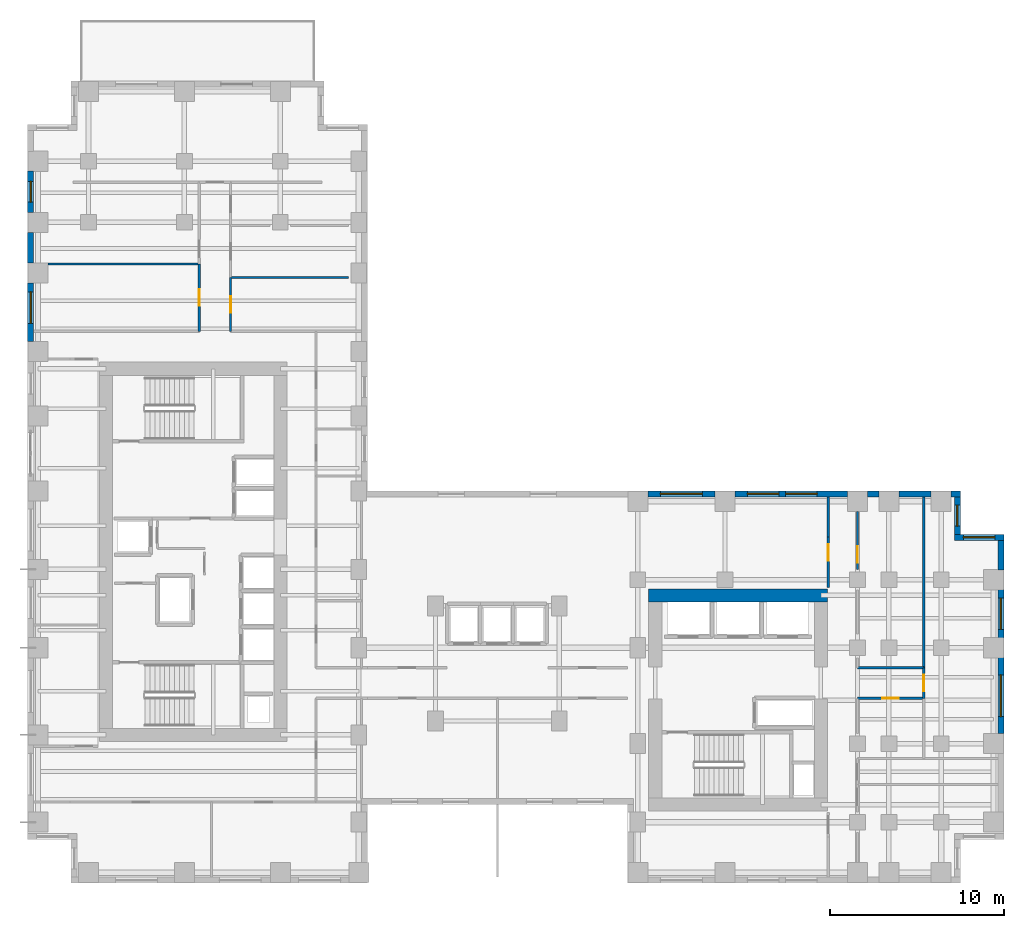
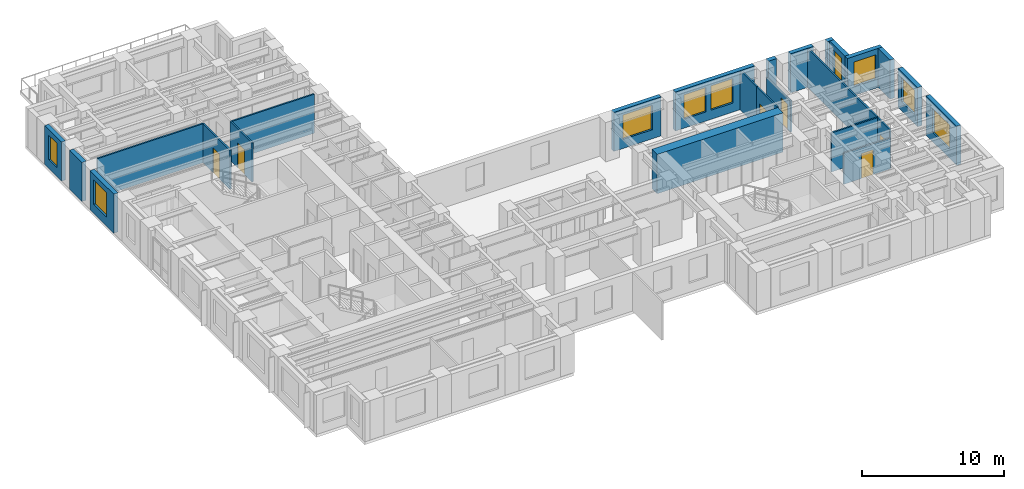
# One storey, part 9 of 13: 25 walls, 9 windows, 6 doors, 15 openings.
"""IFC4 building model written with IfcOpenShell, lengths in metres."""

from ifc_helpers import new_model, si_unit, direction, frame, frame_2d, origin, place, context, subcontext, project, spatial, rectangle, extrude, source, transform, mapped, material, layer, layer_set, type_object, element, fill, save


model = new_model("IFC4")

# Units and contexts
model_context = context("Model", 3, precision=1e-05, world=origin(), true_north=direction((0.0, 1.0)))
body_context = subcontext(model_context, "Body", "Model", "MODEL_VIEW")
ifc_project = project(units=[si_unit("LENGTHUNIT", "METRE"), si_unit("AREAUNIT", "SQUARE_METRE"), si_unit("VOLUMEUNIT", "CUBIC_METRE"), si_unit("PLANEANGLEUNIT", "RADIAN"), si_unit("MASSUNIT", "GRAM", prefix="KILO")], contexts=[model_context])

# Site, building, storey
site_placement = place(None, origin())
site = spatial("IfcSite", under=ifc_project, at=site_placement, CompositionType="ELEMENT")
building_placement = place(site_placement, origin())
building = spatial("IfcBuilding", under=site, at=building_placement, Name="Kharzan Plaza Tower", CompositionType="ELEMENT")
storey_placement = place(building_placement, frame((0.0, 0.0, 77.39990234375)))
storey = spatial("IfcBuildingStorey", under=building, at=storey_placement, Name="L20", CompositionType="ELEMENT", Elevation=77.39990234375)

# Wall, opening, window
ifc_material_1 = material(Name="Concrete C40/50", Category="concrete")
ifc_layer_1 = layer(ifc_material_1, 0.35009765625)
ifc_layer_set_1 = layer_set([ifc_layer_1], Name="Concrete C40/50")
wall_type_1 = type_object("IfcWallType", Name="WL-EXT-MAS-Z2", PredefinedType="SOLIDWALL", material=ifc_layer_set_1)
wall_1_placement = place(storey_placement, frame((0.175048828125, 40.826904296875, 0.0), z_axis=(0.0, 0.0, 1.0), x_axis=(0.0, -1.0, 0.0)))
wall_1 = element("IfcWall", 1, at=wall_1_placement, inside=storey, type_object=wall_type_1, Name="L20 Masonry-Frame Exterior Wall 10", PredefinedType="SOLIDWALL", context=body_context, shape_type="SweptSolid", body=[
    extrude(rectangle(XDim=2.35400390625, YDim=0.35009765625, at=frame_2d((1.177001953125, 0.0))), origin(), (0.0, 0.0, 1.0), 3.364990234375),
])
opening_1_placement = place(wall_1_placement, frame((0.576904296875, 0.0, 0.780029296875)))
opening_1 = element("IfcOpeningElement", 2, at=opening_1_placement, cuts=wall_1, Name="Opening W3", PredefinedType="OPENING", context=body_context, shape_type="SweptSolid", body=[
    extrude(rectangle(XDim=1.199951171875, YDim=2.10009765625, at=frame_2d((0.60009765625, 1.050048828125))), frame((0.0, 0.18505859375, 0.0), z_axis=(0.0, -1.0, 0.0), x_axis=(1.0, 0.0, 0.0)), (0.0, 0.0, 1.0), 0.3701171875),
])
ifc_material_2 = material(Name="Low-E Double Glazing", Category="glass")
window_type_1 = type_object("IfcWindowType", Name="WN-REC-1200x2100", PartitioningType="SINGLE_PANEL", PredefinedType="WINDOW", material=ifc_material_2)
shared_shape_1 = source(origin(), body_context, "Body", "SweptSolid", [
    extrude(rectangle(XDim=1.199951171875, YDim=2.10009765625, at=frame_2d((0.60009765625, 1.050048828125))), frame((0.0, 0.030029296875, 0.0), z_axis=(0.0, -1.0, 0.0), x_axis=(1.0, 0.0, 0.0)), (0.0, 0.0, 1.0), 0.06005859375),
])
window_1_placement = place(opening_1_placement, origin())
window_1 = element("IfcWindow", 3, at=window_1_placement, inside=storey, type_object=window_type_1, Name="L20 Recessed Solar-Control Window 10-1", OverallHeight=2.10009765625, OverallWidth=1.199951171875, PartitioningType="SINGLE_PANEL", PredefinedType="WINDOW", context=body_context, shape_type="MappedRepresentation", body=[
    mapped(shared_shape_1, transform((0.0, 0.0, 0.0), x_axis=(1.0, 0.0, 0.0), y_axis=(0.0, 1.0, 0.0), z_axis=(0.0, 0.0, 1.0))),
])
fill(opening_1, window_1)

wall_2_placement = place(storey_placement, frame((0.175048828125, 34.427001953125, 0.0), z_axis=(0.0, 0.0, 1.0), x_axis=(0.0, -1.0, 0.0)))
wall_2 = element("IfcWall", 4, at=wall_2_placement, inside=storey, type_object=wall_type_1, Name="L20 Masonry-Frame Exterior Wall 12", PredefinedType="SOLIDWALL", context=body_context, shape_type="SweptSolid", body=[
    extrude(rectangle(XDim=3.35400390625, YDim=0.35009765625, at=frame_2d((1.677001953125, 0.0))), origin(), (0.0, 0.0, 1.0), 3.364990234375),
])
opening_2_placement = place(wall_2_placement, frame((0.5234375, 0.0, 0.780029296875)))
opening_2 = element("IfcOpeningElement", 5, at=opening_2_placement, cuts=wall_2, Name="Opening W1", PredefinedType="OPENING", context=body_context, shape_type="SweptSolid", body=[
    extrude(rectangle(XDim=1.800048828125, YDim=2.10009765625, at=frame_2d((0.89990234375, 1.050048828125))), frame((0.0, 0.18505859375, 0.0), z_axis=(0.0, -1.0, 0.0), x_axis=(1.0, 0.0, 0.0)), (0.0, 0.0, 1.0), 0.3701171875),
])
window_type_2 = type_object("IfcWindowType", Name="WN-REC-1800x2100", PartitioningType="SINGLE_PANEL", PredefinedType="WINDOW", material=ifc_material_2)
shared_shape_2 = source(origin(), body_context, "Body", "SweptSolid", [
    extrude(rectangle(XDim=1.800048828125, YDim=2.10009765625, at=frame_2d((0.89990234375, 1.050048828125))), frame((0.0, 0.030029296875, 0.0), z_axis=(0.0, -1.0, 0.0), x_axis=(1.0, 0.0, 0.0)), (0.0, 0.0, 1.0), 0.06005859375),
])
window_2_placement = place(opening_2_placement, origin())
window_2 = element("IfcWindow", 6, at=window_2_placement, inside=storey, type_object=window_type_2, Name="L20 Recessed Solar-Control Window 12-1", OverallHeight=2.10009765625, OverallWidth=1.800048828125, PartitioningType="SINGLE_PANEL", PredefinedType="WINDOW", context=body_context, shape_type="MappedRepresentation", body=[
    mapped(shared_shape_2, transform((0.0, 0.0, 0.0), x_axis=(1.0, 0.0, 0.0), y_axis=(0.0, 1.0, 0.0), z_axis=(0.0, 0.0, 1.0))),
])
fill(opening_2, window_2)

wall_3_placement = place(storey_placement, frame((55.824951171875, 8.572998046875, 0.0), z_axis=(0.0, 0.0, 1.0), x_axis=(0.0, 1.0, 0.0)))
wall_3 = element("IfcWall", 7, at=wall_3_placement, inside=storey, type_object=wall_type_1, Name="L20 Masonry-Frame Exterior Wall 39", PredefinedType="SOLIDWALL", context=body_context, shape_type="SweptSolid", body=[
    extrude(rectangle(XDim=4.35400390625, YDim=0.35009765625, at=frame_2d((2.177001953125, 0.0))), origin(), (0.0, 0.0, 1.0), 3.364990234375),
])
opening_3_placement = place(wall_3_placement, frame((0.97705078125, 0.0, 0.780029296875)))
opening_3 = element("IfcOpeningElement", 8, at=opening_3_placement, cuts=wall_3, Name="Opening W2", PredefinedType="OPENING", context=body_context, shape_type="SweptSolid", body=[
    extrude(rectangle(XDim=2.39990234375, YDim=2.10009765625, at=frame_2d((1.199951171875, 1.050048828125))), frame((0.0, 0.18505859375, 0.0), z_axis=(0.0, -1.0, 0.0), x_axis=(1.0, 0.0, 0.0)), (0.0, 0.0, 1.0), 0.3701171875),
])
window_type_3 = type_object("IfcWindowType", Name="WN-REC-2400x2100", PartitioningType="SINGLE_PANEL", PredefinedType="WINDOW", material=ifc_material_2)
shared_shape_3 = source(origin(), body_context, "Body", "SweptSolid", [
    extrude(rectangle(XDim=2.39990234375, YDim=2.10009765625, at=frame_2d((1.199951171875, 1.050048828125))), frame((0.0, 0.030029296875, 0.0), z_axis=(0.0, -1.0, 0.0), x_axis=(1.0, 0.0, 0.0)), (0.0, 0.0, 1.0), 0.06005859375),
])
window_3_placement = place(opening_3_placement, origin())
window_3 = element("IfcWindow", 9, at=window_3_placement, inside=storey, type_object=window_type_3, Name="L20 Wide Recessed Solar-Control Window 39-1", OverallHeight=2.10009765625, OverallWidth=2.39990234375, PartitioningType="SINGLE_PANEL", PredefinedType="WINDOW", context=body_context, shape_type="MappedRepresentation", body=[
    mapped(shared_shape_3, transform((0.0, 0.0, 0.0), x_axis=(1.0, 0.0, 0.0), y_axis=(0.0, 1.0, 0.0), z_axis=(0.0, 0.0, 1.0))),
])
fill(opening_3, window_3)

wall_4_placement = place(storey_placement, frame((55.824951171875, 14.072998046875, 0.0), z_axis=(0.0, 0.0, 1.0), x_axis=(0.0, 1.0, 0.0)))
wall_4 = element("IfcWall", 10, at=wall_4_placement, inside=storey, type_object=wall_type_1, Name="L20 Masonry-Frame Exterior Wall 40", PredefinedType="SOLIDWALL", context=body_context, shape_type="SweptSolid", body=[
    extrude(rectangle(XDim=2.75390625, YDim=0.35009765625, at=frame_2d((1.376953125, 0.0))), origin(), (0.0, 0.0, 1.0), 3.364990234375),
])
opening_4_placement = place(wall_4_placement, frame((0.47705078125, 0.0, 0.780029296875)))
opening_4 = element("IfcOpeningElement", 11, at=opening_4_placement, cuts=wall_4, Name="Opening W1", PredefinedType="OPENING", context=body_context, shape_type="SweptSolid", body=[
    extrude(rectangle(XDim=1.800048828125, YDim=2.10009765625, at=frame_2d((0.89990234375, 1.050048828125))), frame((0.0, 0.18505859375, 0.0), z_axis=(0.0, -1.0, 0.0), x_axis=(1.0, 0.0, 0.0)), (0.0, 0.0, 1.0), 0.3701171875),
])
window_4_placement = place(opening_4_placement, origin())
window_4 = element("IfcWindow", 12, at=window_4_placement, inside=storey, type_object=window_type_2, Name="L20 Recessed Solar-Control Window 40-1", OverallHeight=2.10009765625, OverallWidth=1.800048828125, PartitioningType="SINGLE_PANEL", PredefinedType="WINDOW", context=body_context, shape_type="MappedRepresentation", body=[
    mapped(shared_shape_2, transform((0.0, 0.0, 0.0), x_axis=(1.0, 0.0, 0.0), y_axis=(0.0, 1.0, 0.0), z_axis=(0.0, 0.0, 1.0))),
])
fill(opening_4, window_4)

wall_5_placement = place(storey_placement, frame((56.0, 19.824951171875, 0.0), z_axis=(0.0, 0.0, 1.0), x_axis=(-1.0, 0.0, 0.0)))
wall_5 = element("IfcWall", 13, at=wall_5_placement, inside=storey, type_object=wall_type_1, Name="L20 Masonry-Frame Exterior Wall 42", PredefinedType="SOLIDWALL", context=body_context, shape_type="SweptSolid", body=[
    extrude(rectangle(XDim=2.85009765625, YDim=0.35009765625, at=frame_2d((1.425048828125, 0.0))), origin(), (0.0, 0.0, 1.0), 3.364990234375),
])
opening_5_placement = place(wall_5_placement, frame((0.52490234375, 0.0, 0.780029296875)))
opening_5 = element("IfcOpeningElement", 14, at=opening_5_placement, cuts=wall_5, Name="Opening W1", PredefinedType="OPENING", context=body_context, shape_type="SweptSolid", body=[
    extrude(rectangle(XDim=1.800048828125, YDim=2.10009765625, at=frame_2d((0.89990234375, 1.050048828125))), frame((0.0, 0.18505859375, 0.0), z_axis=(0.0, -1.0, 0.0), x_axis=(1.0, 0.0, 0.0)), (0.0, 0.0, 1.0), 0.3701171875),
])
window_5_placement = place(opening_5_placement, origin())
window_5 = element("IfcWindow", 15, at=window_5_placement, inside=storey, type_object=window_type_2, Name="L20 Recessed Solar-Control Window 42-1", OverallHeight=2.10009765625, OverallWidth=1.800048828125, PartitioningType="SINGLE_PANEL", PredefinedType="WINDOW", context=body_context, shape_type="MappedRepresentation", body=[
    mapped(shared_shape_2, transform((0.0, 0.0, 0.0), x_axis=(1.0, 0.0, 0.0), y_axis=(0.0, 1.0, 0.0), z_axis=(0.0, 0.0, 1.0))),
])
fill(opening_5, window_5)

wall_6_placement = place(storey_placement, frame((53.324951171875, 19.998046875, 0.0), z_axis=(0.0, 0.0, 1.0), x_axis=(0.0, 1.0, 0.0)))
wall_6 = element("IfcWall", 16, at=wall_6_placement, inside=storey, type_object=wall_type_1, Name="L20 Masonry-Frame Exterior Wall 43", PredefinedType="SOLIDWALL", context=body_context, shape_type="SweptSolid", body=[
    extrude(rectangle(XDim=2.154052734375, YDim=0.35009765625, at=frame_2d((1.0771484375, 0.0))), origin(), (0.0, 0.0, 1.0), 3.364990234375),
])
opening_6_placement = place(wall_6_placement, frame((0.47705078125, 0.0, 0.780029296875)))
opening_6 = element("IfcOpeningElement", 17, at=opening_6_placement, cuts=wall_6, Name="Opening W3", PredefinedType="OPENING", context=body_context, shape_type="SweptSolid", body=[
    extrude(rectangle(XDim=1.199951171875, YDim=2.10009765625, at=frame_2d((0.60009765625, 1.050048828125))), frame((0.0, 0.18505859375, 0.0), z_axis=(0.0, -1.0, 0.0), x_axis=(1.0, 0.0, 0.0)), (0.0, 0.0, 1.0), 0.3701171875),
])
window_6_placement = place(opening_6_placement, origin())
window_6 = element("IfcWindow", 18, at=window_6_placement, inside=storey, type_object=window_type_1, Name="L20 Recessed Solar-Control Window 43-1", OverallHeight=2.10009765625, OverallWidth=1.199951171875, PartitioningType="SINGLE_PANEL", PredefinedType="WINDOW", context=body_context, shape_type="MappedRepresentation", body=[
    mapped(shared_shape_1, transform((0.0, 0.0, 0.0), x_axis=(1.0, 0.0, 0.0), y_axis=(0.0, 1.0, 0.0), z_axis=(0.0, 0.0, 1.0))),
])
fill(opening_6, window_6)

# Wall, openings, windows
wall_7_placement = place(storey_placement, frame((47.027099609375, 22.324951171875, 0.0), z_axis=(0.0, 0.0, 1.0), x_axis=(-1.0, 0.0, 0.0)))
wall_7 = element("IfcWall", 19, at=wall_7_placement, inside=storey, type_object=wall_type_1, Name="L20 Masonry-Frame Exterior Wall 47", PredefinedType="SOLIDWALL", context=body_context, shape_type="SweptSolid", body=[
    extrude(rectangle(XDim=6.4541015625, YDim=0.35009765625, at=frame_2d((3.22705078125, 0.0))), origin(), (0.0, 0.0, 1.0), 3.364990234375),
])
opening_7_placement = place(wall_7_placement, frame((1.749267578125, 0.0, 0.780029296875)))
opening_7 = element("IfcOpeningElement", 20, at=opening_7_placement, cuts=wall_7, Name="Opening W1", PredefinedType="OPENING", context=body_context, shape_type="SweptSolid", body=[
    extrude(rectangle(XDim=1.800048828125, YDim=2.10009765625, at=frame_2d((0.89990234375, 1.050048828125))), frame((0.0, 0.18505859375, 0.0), z_axis=(0.0, -1.0, 0.0), x_axis=(1.0, 0.0, 0.0)), (0.0, 0.0, 1.0), 0.3701171875),
])
opening_8_placement = place(wall_7_placement, frame((3.941650390625, 0.0, 0.780029296875)))
opening_8 = element("IfcOpeningElement", 21, at=opening_8_placement, cuts=wall_7, Name="Opening W1", PredefinedType="OPENING", context=body_context, shape_type="SweptSolid", body=[
    extrude(rectangle(XDim=1.800048828125, YDim=2.10009765625, at=frame_2d((0.89990234375, 1.050048828125))), frame((0.0, 0.18505859375, 0.0), z_axis=(0.0, -1.0, 0.0), x_axis=(1.0, 0.0, 0.0)), (0.0, 0.0, 1.0), 0.3701171875),
])
window_7_placement = place(opening_7_placement, origin())
window_7 = element("IfcWindow", 22, at=window_7_placement, inside=storey, type_object=window_type_2, Name="L20 Recessed Solar-Control Window 47-1", OverallHeight=2.10009765625, OverallWidth=1.800048828125, PartitioningType="SINGLE_PANEL", PredefinedType="WINDOW", context=body_context, shape_type="MappedRepresentation", body=[
    mapped(shared_shape_2, transform((0.0, 0.0, 0.0), x_axis=(1.0, 0.0, 0.0), y_axis=(0.0, 1.0, 0.0), z_axis=(0.0, 0.0, 1.0))),
])
fill(opening_7, window_7)
window_8_placement = place(opening_8_placement, origin())
window_8 = element("IfcWindow", 23, at=window_8_placement, inside=storey, type_object=window_type_2, Name="L20 Recessed Solar-Control Window 47-2", OverallHeight=2.10009765625, OverallWidth=1.800048828125, PartitioningType="SINGLE_PANEL", PredefinedType="WINDOW", context=body_context, shape_type="MappedRepresentation", body=[
    mapped(shared_shape_2, transform((0.0, 0.0, 0.0), x_axis=(1.0, 0.0, 0.0), y_axis=(0.0, 1.0, 0.0), z_axis=(0.0, 0.0, 1.0))),
])
fill(opening_8, window_8)

# Wall, opening, window
wall_8_placement = place(storey_placement, frame((39.427001953125, 22.324951171875, 0.0), z_axis=(0.0, 0.0, 1.0), x_axis=(-1.0, 0.0, 0.0)))
wall_8 = element("IfcWall", 24, at=wall_8_placement, inside=storey, type_object=wall_type_1, Name="L20 Masonry-Frame Exterior Wall 48", PredefinedType="SOLIDWALL", context=body_context, shape_type="SweptSolid", body=[
    extrude(rectangle(XDim=3.85400390625, YDim=0.35009765625, at=frame_2d((1.927001953125, 0.0))), origin(), (0.0, 0.0, 1.0), 3.364990234375),
])
opening_9_placement = place(wall_8_placement, frame((0.72705078125, 0.0, 0.780029296875)))
opening_9 = element("IfcOpeningElement", 25, at=opening_9_placement, cuts=wall_8, Name="Opening W2", PredefinedType="OPENING", context=body_context, shape_type="SweptSolid", body=[
    extrude(rectangle(XDim=2.39990234375, YDim=2.10009765625, at=frame_2d((1.199951171875, 1.050048828125))), frame((0.0, 0.18505859375, 0.0), z_axis=(0.0, -1.0, 0.0), x_axis=(1.0, 0.0, 0.0)), (0.0, 0.0, 1.0), 0.3701171875),
])
window_9_placement = place(opening_9_placement, origin())
window_9 = element("IfcWindow", 26, at=window_9_placement, inside=storey, type_object=window_type_3, Name="L20 Wide Recessed Solar-Control Window 48-1", OverallHeight=2.10009765625, OverallWidth=2.39990234375, PartitioningType="SINGLE_PANEL", PredefinedType="WINDOW", context=body_context, shape_type="MappedRepresentation", body=[
    mapped(shared_shape_3, transform((0.0, 0.0, 0.0), x_axis=(1.0, 0.0, 0.0), y_axis=(0.0, 1.0, 0.0), z_axis=(0.0, 0.0, 1.0))),
])
fill(opening_9, window_9)

# Wall, opening, door
ifc_material_3 = material(Name="Fire-Rated Gypsum Board Partition", Category="gypsum")
ifc_layer_2 = layer(ifc_material_3, 0.125)
ifc_layer_set_2 = layer_set([ifc_layer_2], Name="Fire-Rated Gypsum Board Partition")
wall_type_2 = type_object("IfcWallType", Name="WL-INT-PART-125", PredefinedType="PARTITIONING", material=ifc_layer_set_2)
wall_9_placement = place(storey_placement, frame((51.39990234375, 10.60009765625, 0.0), z_axis=(0.0, 0.0, 1.0), x_axis=(0.0, 1.0, 0.0)))
wall_9 = element("IfcWall", 27, at=wall_9_placement, inside=storey, type_object=wall_type_2, Name="L20 Interior Partition SH-B2E2", PredefinedType="PARTITIONING", context=body_context, shape_type="SweptSolid", body=[
    extrude(rectangle(XDim=1.75, YDim=0.125, at=frame_2d((0.875, 0.0))), origin(), (0.0, 0.0, 1.0), 3.364990234375),
])
opening_10_placement = place(wall_9_placement, frame((0.39990234375, 0.0, 0.0)))
opening_10 = element("IfcOpeningElement", 28, at=opening_10_placement, cuts=wall_9, Name="Opening OD1", PredefinedType="OPENING", context=body_context, shape_type="SweptSolid", body=[
    extrude(rectangle(XDim=0.949951171875, YDim=2.14990234375, at=frame_2d((0.47509765625, 1.074951171875))), frame((0.0, 0.072509765625, 0.0), z_axis=(0.0, -1.0, 0.0), x_axis=(1.0, 0.0, 0.0)), (0.0, 0.0, 1.0), 0.14501953125),
])
ifc_material_4 = material(Name="Acoustic Solid-Core Stained Oak", Category="timber")
door_type = type_object("IfcDoorType", Name="DR-OFF-SINGLE", OperationType="NOTDEFINED", PredefinedType="DOOR", material=ifc_material_4)
shared_shape_4 = source(origin(), body_context, "Body", "SweptSolid", [
    extrude(rectangle(XDim=0.949951171875, YDim=2.14990234375, at=frame_2d((0.47509765625, 1.074951171875))), frame((0.0, 0.02490234375, 0.0), z_axis=(0.0, -1.0, 0.0), x_axis=(1.0, 0.0, 0.0)), (0.0, 0.0, 1.0), 0.050048828125),
])
door_1_placement = place(opening_10_placement, origin())
door_1 = element("IfcDoor", 29, at=door_1_placement, inside=storey, type_object=door_type, Name="L20 East Boardroom Door", OperationType="SINGLE_SWING_LEFT", OverallHeight=2.14990234375, OverallWidth=0.949951171875, PredefinedType="DOOR", context=body_context, shape_type="MappedRepresentation", body=[
    mapped(shared_shape_4, transform((0.0, 0.0, 0.0), x_axis=(1.0, 0.0, 0.0), y_axis=(0.0, 1.0, 0.0), z_axis=(0.0, 0.0, 1.0))),
])
fill(opening_10, door_1)

wall_10_placement = place(storey_placement, frame((47.60009765625, 10.60009765625, 0.0), z_axis=(0.0, 0.0, 1.0), x_axis=(1.0, 0.0, 0.0)))
wall_10 = element("IfcWall", 30, at=wall_10_placement, inside=storey, type_object=wall_type_2, Name="L20 Interior Partition SH-B2S1", PredefinedType="PARTITIONING", context=body_context, shape_type="SweptSolid", body=[
    extrude(rectangle(XDim=3.7998046875, YDim=0.125, at=frame_2d((1.89990234375, 0.0))), origin(), (0.0, 0.0, 1.0), 2.677001953125),
])
opening_11_placement = place(wall_10_placement, frame((1.425048828125, 0.0, 0.0)))
opening_11 = element("IfcOpeningElement", 31, at=opening_11_placement, cuts=wall_10, Name="Opening OD1", PredefinedType="OPENING", context=body_context, shape_type="SweptSolid", body=[
    extrude(rectangle(XDim=0.949951171875, YDim=2.14990234375, at=frame_2d((0.47509765625, 1.074951171875))), frame((0.0, 0.072509765625, 0.0), z_axis=(0.0, -1.0, 0.0), x_axis=(1.0, 0.0, 0.0)), (0.0, 0.0, 1.0), 0.14501953125),
])
door_2_placement = place(opening_11_placement, origin())
door_2 = element("IfcDoor", 32, at=door_2_placement, inside=storey, type_object=door_type, Name="L20 Spur South Office Door", OperationType="SINGLE_SWING_RIGHT", OverallHeight=2.14990234375, OverallWidth=0.949951171875, PredefinedType="DOOR", context=body_context, shape_type="MappedRepresentation", body=[
    mapped(shared_shape_4, transform((0.0, 0.0, 0.0), x_axis=(1.0, 0.0, 0.0), y_axis=(0.0, 1.0, 0.0), z_axis=(0.0, 0.0, 1.0))),
])
fill(opening_11, door_2)

wall_11_placement = place(storey_placement, frame((47.60009765625, 17.989990234375, 0.0), z_axis=(0.0, 0.0, 1.0), x_axis=(0.0, 1.0, 0.0)))
wall_11 = element("IfcWall", 33, at=wall_11_placement, inside=storey, type_object=wall_type_2, Name="L20 Interior Partition SH-B2W3D-S2", PredefinedType="PARTITIONING", context=body_context, shape_type="SweptSolid", body=[
    extrude(rectangle(XDim=3.320068359375, YDim=0.125, at=frame_2d((1.66015625, 0.0))), origin(), (0.0, 0.0, 1.0), 2.677001953125),
])
opening_12_placement = place(wall_11_placement, frame((0.381103515625, 0.0, 0.0)))
opening_12 = element("IfcOpeningElement", 34, at=opening_12_placement, cuts=wall_11, Name="Opening OD1", PredefinedType="OPENING", context=body_context, shape_type="SweptSolid", body=[
    extrude(rectangle(XDim=0.949951171875, YDim=2.14990234375, at=frame_2d((0.47509765625, 1.074951171875))), frame((0.0, 0.072509765625, 0.0), z_axis=(0.0, -1.0, 0.0), x_axis=(1.0, 0.0, 0.0)), (0.0, 0.0, 1.0), 0.14501953125),
])
door_3_placement = place(opening_12_placement, origin())
door_3 = element("IfcDoor", 35, at=door_3_placement, inside=storey, type_object=door_type, Name="L20 Spur North Office Door", OperationType="SINGLE_SWING_RIGHT", OverallHeight=2.14990234375, OverallWidth=0.949951171875, PredefinedType="DOOR", context=body_context, shape_type="MappedRepresentation", body=[
    mapped(shared_shape_4, transform((0.0, 0.0, 0.0), x_axis=(1.0, 0.0, 0.0), y_axis=(0.0, 1.0, 0.0), z_axis=(0.0, 0.0, 1.0))),
])
fill(opening_12, door_3)

wall_12_placement = place(storey_placement, frame((45.919921875, 16.949951171875, 0.0), z_axis=(0.0, 0.0, 1.0), x_axis=(0.0, 1.0, 0.0)))
wall_12 = element("IfcWall", 36, at=wall_12_placement, inside=storey, type_object=wall_type_2, Name="L20 Interior Partition SH-RBNE", PredefinedType="PARTITIONING", context=body_context, shape_type="SweptSolid", body=[
    extrude(rectangle(XDim=2.900146484375, YDim=0.125, at=frame_2d((1.4501953125, 0.0))), origin(), (0.0, 0.0, 1.0), 3.364990234375),
])
opening_13_placement = place(wall_12_placement, frame((1.54296875, 0.0, 0.0)))
opening_13 = element("IfcOpeningElement", 37, at=opening_13_placement, cuts=wall_12, Name="Opening OD1", PredefinedType="OPENING", context=body_context, shape_type="SweptSolid", body=[
    extrude(rectangle(XDim=0.949951171875, YDim=2.14990234375, at=frame_2d((0.47509765625, 1.074951171875))), frame((0.0, 0.072509765625, 0.0), z_axis=(0.0, -1.0, 0.0), x_axis=(1.0, 0.0, 0.0)), (0.0, 0.0, 1.0), 0.14501953125),
])
door_4_placement = place(opening_13_placement, origin())
door_4 = element("IfcDoor", 38, at=door_4_placement, inside=storey, type_object=door_type, Name="L20 Wing B North Studio Door", OperationType="SINGLE_SWING_LEFT", OverallHeight=2.14990234375, OverallWidth=0.949951171875, PredefinedType="DOOR", context=body_context, shape_type="MappedRepresentation", body=[
    mapped(shared_shape_4, transform((0.0, 0.0, 0.0), x_axis=(1.0, 0.0, 0.0), y_axis=(0.0, 1.0, 0.0), z_axis=(0.0, 0.0, 1.0))),
])
fill(opening_13, door_4)

wall_13_placement = place(storey_placement, frame((11.64990234375, 31.64990234375, 0.0), z_axis=(0.0, 0.0, 1.0), x_axis=(0.0, 1.0, 0.0)))
wall_13 = element("IfcWall", 39, at=wall_13_placement, inside=storey, type_object=wall_type_2, Name="L20 Interior Partition SH-SPE-1", PredefinedType="PARTITIONING", context=body_context, shape_type="SweptSolid", body=[
    extrude(rectangle(XDim=3.078125, YDim=0.125, at=frame_2d((1.5390625, 0.0))), origin(), (0.0, 0.0, 1.0), 3.364990234375),
])
opening_14_placement = place(wall_13_placement, frame((1.06396484375, 0.0, 0.0)))
opening_14 = element("IfcOpeningElement", 40, at=opening_14_placement, cuts=wall_13, Name="Opening OD1", PredefinedType="OPENING", context=body_context, shape_type="SweptSolid", body=[
    extrude(rectangle(XDim=0.949951171875, YDim=2.14990234375, at=frame_2d((0.47509765625, 1.074951171875))), frame((0.0, 0.072509765625, 0.0), z_axis=(0.0, -1.0, 0.0), x_axis=(1.0, 0.0, 0.0)), (0.0, 0.0, 1.0), 0.14501953125),
])
door_5_placement = place(opening_14_placement, origin())
door_5 = element("IfcDoor", 41, at=door_5_placement, inside=storey, type_object=door_type, Name="L20 Cybersecurity Operations Office Door", OperationType="SINGLE_SWING_LEFT", OverallHeight=2.14990234375, OverallWidth=0.949951171875, PredefinedType="DOOR", context=body_context, shape_type="MappedRepresentation", body=[
    mapped(shared_shape_4, transform((0.0, 0.0, 0.0), x_axis=(1.0, 0.0, 0.0), y_axis=(0.0, 1.0, 0.0), z_axis=(0.0, 0.0, 1.0))),
])
fill(opening_14, door_5)

wall_14_placement = place(storey_placement, frame((9.85009765625, 31.64990234375, 0.0), z_axis=(0.0, 0.0, 1.0), x_axis=(0.0, 1.0, 0.0)))
wall_14 = element("IfcWall", 42, at=wall_14_placement, inside=storey, type_object=wall_type_2, Name="L20 Interior Partition SH-SPW-1", PredefinedType="PARTITIONING", context=body_context, shape_type="SweptSolid", body=[
    extrude(rectangle(XDim=3.84814453125, YDim=0.125, at=frame_2d((1.924072265625, 0.0))), origin(), (0.0, 0.0, 1.0), 3.364990234375),
])
opening_15_placement = place(wall_14_placement, frame((1.448974609375, 0.0, 0.0)))
opening_15 = element("IfcOpeningElement", 43, at=opening_15_placement, cuts=wall_14, Name="Opening OD1", PredefinedType="OPENING", context=body_context, shape_type="SweptSolid", body=[
    extrude(rectangle(XDim=0.949951171875, YDim=2.14990234375, at=frame_2d((0.47509765625, 1.074951171875))), frame((0.0, 0.072509765625, 0.0), z_axis=(0.0, -1.0, 0.0), x_axis=(1.0, 0.0, 0.0)), (0.0, 0.0, 1.0), 0.14501953125),
])
door_6_placement = place(opening_15_placement, origin())
door_6 = element("IfcDoor", 44, at=door_6_placement, inside=storey, type_object=door_type, Name="L20 Sprint Review Meeting Room Door", OperationType="SINGLE_SWING_LEFT", OverallHeight=2.14990234375, OverallWidth=0.949951171875, PredefinedType="DOOR", context=body_context, shape_type="MappedRepresentation", body=[
    mapped(shared_shape_4, transform((0.0, 0.0, 0.0), x_axis=(1.0, 0.0, 0.0), y_axis=(0.0, 1.0, 0.0), z_axis=(0.0, 0.0, 1.0))),
])
fill(opening_15, door_6)

# Walls
shared_shape_5 = source(origin(), body_context, "Body", "SweptSolid", [
    extrude(rectangle(XDim=2.2978515625, YDim=0.125, at=frame_2d((1.14892578125, 0.0))), origin(), (0.0, 0.0, 1.0), 3.364990234375),
])
wall_15_placement = place(storey_placement, frame((45.919921875, 19.85009765625, 0.0), z_axis=(0.0, 0.0, 1.0), x_axis=(0.0, 1.0, 0.0)))
element("IfcWall", 45, at=wall_15_placement, inside=storey, type_object=wall_type_2, Name="L20 Interior Partition SH-RBNE0", PredefinedType="PARTITIONING", context=body_context, shape_type="MappedRepresentation", body=[
    mapped(shared_shape_5, transform((0.0, 0.0, 0.0), x_axis=(1.0, 0.0, 0.0), y_axis=(0.0, 1.0, 0.0), z_axis=(0.0, 0.0, 1.0))),
])
shared_shape_6 = source(origin(), body_context, "Body", "SweptSolid", [
    extrude(rectangle(XDim=3.7998046875, YDim=0.125, at=frame_2d((1.89990234375, 0.0))), origin(), (0.0, 0.0, 1.0), 3.364990234375),
])
wall_16_placement = place(storey_placement, frame((47.60009765625, 12.35009765625, 0.0), z_axis=(0.0, 0.0, 1.0), x_axis=(1.0, 0.0, 0.0)))
element("IfcWall", 46, at=wall_16_placement, inside=storey, type_object=wall_type_2, Name="L20 Interior Partition SH-B2N3", PredefinedType="PARTITIONING", context=body_context, shape_type="MappedRepresentation", body=[
    mapped(shared_shape_6, transform((0.0, 0.0, 0.0), x_axis=(1.0, 0.0, 0.0), y_axis=(0.0, 1.0, 0.0), z_axis=(0.0, 0.0, 1.0))),
])
shared_shape_7 = source(origin(), body_context, "Body", "SweptSolid", [
    extrude(rectangle(XDim=9.789794921875, YDim=0.125, at=frame_2d((4.89501953125, 0.0))), origin(), (0.0, 0.0, 1.0), 3.364990234375),
])
wall_17_placement = place(storey_placement, frame((51.39990234375, 12.35009765625, 0.0), z_axis=(0.0, 0.0, 1.0), x_axis=(0.0, 1.0, 0.0)))
element("IfcWall", 47, at=wall_17_placement, inside=storey, type_object=wall_type_2, Name="L20 Interior Partition SH-B2V2", PredefinedType="PARTITIONING", context=body_context, shape_type="MappedRepresentation", body=[
    mapped(shared_shape_7, transform((0.0, 0.0, 0.0), x_axis=(1.0, 0.0, 0.0), y_axis=(0.0, 1.0, 0.0), z_axis=(0.0, 0.0, 1.0))),
])
ifc_material_5 = material(Name="Concrete C60/75", Category="concrete")
ifc_layer_3 = layer(ifc_material_5, 0.75)
ifc_layer_set_3 = layer_set([ifc_layer_3], Name="Concrete C60/75")
wall_type_3 = type_object("IfcWallType", Name="WL-CORE-750", PredefinedType="SHEAR", material=ifc_layer_set_3)
shared_shape_8 = source(origin(), body_context, "Body", "SweptSolid", [
    extrude(rectangle(XDim=10.25, YDim=0.75, at=frame_2d((5.125, 0.0))), origin(), (0.0, 0.0, 1.0), 3.380126953125),
])
wall_18_placement = place(storey_placement, frame((35.625, 16.5, 0.0), z_axis=(0.0, 0.0, 1.0), x_axis=(1.0, 0.0, 0.0)))
element("IfcWall", 48, at=wall_18_placement, inside=storey, type_object=wall_type_3, Name="L20 CORE-B north RC shear wall", PredefinedType="SHEAR", context=body_context, shape_type="MappedRepresentation", body=[
    mapped(shared_shape_8, transform((0.0, 0.0, 0.0), x_axis=(1.0, 0.0, 0.0), y_axis=(0.0, 1.0, 0.0), z_axis=(0.0, 0.0, 1.0))),
])
shared_shape_9 = source(origin(), body_context, "Body", "SweptSolid", [
    extrude(rectangle(XDim=1.75390625, YDim=0.35009765625, at=frame_2d((0.876953125, 0.0))), origin(), (0.0, 0.0, 1.0), 3.364990234375),
])
wall_19_placement = place(storey_placement, frame((0.175048828125, 37.326904296875, 0.0), z_axis=(0.0, 0.0, 1.0), x_axis=(0.0, -1.0, 0.0)))
element("IfcWall", 49, at=wall_19_placement, inside=storey, type_object=wall_type_1, Name="L20 Masonry-Frame Exterior Wall 11", PredefinedType="SOLIDWALL", context=body_context, shape_type="MappedRepresentation", body=[
    mapped(shared_shape_9, transform((0.0, 0.0, 0.0), x_axis=(1.0, 0.0, 0.0), y_axis=(0.0, 1.0, 0.0), z_axis=(0.0, 0.0, 1.0))),
])
shared_shape_10 = source(origin(), body_context, "Body", "SweptSolid", [
    extrude(rectangle(XDim=0.65380859375, YDim=0.35009765625, at=frame_2d((0.326904296875, 0.0))), origin(), (0.0, 0.0, 1.0), 3.364990234375),
])
wall_20_placement = place(storey_placement, frame((48.826904296875, 22.324951171875, 0.0), z_axis=(0.0, 0.0, 1.0), x_axis=(-1.0, 0.0, 0.0)))
element("IfcWall", 50, at=wall_20_placement, inside=storey, type_object=wall_type_1, Name="L20 Masonry-Frame Exterior Wall 46", PredefinedType="SOLIDWALL", context=body_context, shape_type="MappedRepresentation", body=[
    mapped(shared_shape_10, transform((0.0, 0.0, 0.0), x_axis=(1.0, 0.0, 0.0), y_axis=(0.0, 1.0, 0.0), z_axis=(0.0, 0.0, 1.0))),
])
shared_shape_11 = source(origin(), body_context, "Body", "SweptSolid", [
    extrude(rectangle(XDim=1.85400390625, YDim=0.35009765625, at=frame_2d((0.927001953125, 0.0))), origin(), (0.0, 0.0, 1.0), 3.364990234375),
])
wall_21_placement = place(storey_placement, frame((51.826904296875, 22.324951171875, 0.0), z_axis=(0.0, 0.0, 1.0), x_axis=(-1.0, 0.0, 0.0)))
element("IfcWall", 51, at=wall_21_placement, inside=storey, type_object=wall_type_1, Name="L20 Masonry-Frame Exterior Wall 45", PredefinedType="SOLIDWALL", context=body_context, shape_type="MappedRepresentation", body=[
    mapped(shared_shape_11, transform((0.0, 0.0, 0.0), x_axis=(1.0, 0.0, 0.0), y_axis=(0.0, 1.0, 0.0), z_axis=(0.0, 0.0, 1.0))),
])
shared_shape_12 = source(origin(), body_context, "Body", "SweptSolid", [
    extrude(rectangle(XDim=0.527099609375, YDim=0.35009765625, at=frame_2d((0.263671875, 0.0))), origin(), (0.0, 0.0, 1.0), 3.364990234375),
])
wall_22_placement = place(storey_placement, frame((53.5, 22.324951171875, 0.0), z_axis=(0.0, 0.0, 1.0), x_axis=(-1.0, 0.0, 0.0)))
element("IfcWall", 52, at=wall_22_placement, inside=storey, type_object=wall_type_1, Name="L20 Masonry-Frame Exterior Wall 44", PredefinedType="SOLIDWALL", context=body_context, shape_type="MappedRepresentation", body=[
    mapped(shared_shape_12, transform((0.0, 0.0, 0.0), x_axis=(1.0, 0.0, 0.0), y_axis=(0.0, 1.0, 0.0), z_axis=(0.0, 0.0, 1.0))),
])
shared_shape_13 = source(origin(), body_context, "Body", "SweptSolid", [
    extrude(rectangle(XDim=1.67919921875, YDim=0.35009765625, at=frame_2d((0.839599609375, 0.0))), origin(), (0.0, 0.0, 1.0), 3.364990234375),
])
wall_23_placement = place(storey_placement, frame((55.824951171875, 17.972900390625, 0.0), z_axis=(0.0, 0.0, 1.0), x_axis=(0.0, 1.0, 0.0)))
element("IfcWall", 53, at=wall_23_placement, inside=storey, type_object=wall_type_1, Name="L20 Masonry-Frame Exterior Wall 41", PredefinedType="SOLIDWALL", context=body_context, shape_type="MappedRepresentation", body=[
    mapped(shared_shape_13, transform((0.0, 0.0, 0.0), x_axis=(1.0, 0.0, 0.0), y_axis=(0.0, 1.0, 0.0), z_axis=(0.0, 0.0, 1.0))),
])
shared_shape_14 = source(origin(), body_context, "Body", "SweptSolid", [
    extrude(rectangle(XDim=6.760009765625, YDim=0.125, at=frame_2d((3.3798828125, 0.0))), origin(), (0.0, 0.0, 1.0), 3.364990234375),
])
wall_24_placement = place(storey_placement, frame((11.64990234375, 34.72802734375, 0.0), z_axis=(0.0, 0.0, 1.0), x_axis=(1.0, 0.0, 0.0)))
element("IfcWall", 54, at=wall_24_placement, inside=storey, type_object=wall_type_2, Name="L20 Interior Partition SH-NEH-1", PredefinedType="PARTITIONING", context=body_context, shape_type="MappedRepresentation", body=[
    mapped(shared_shape_14, transform((0.0, 0.0, 0.0), x_axis=(1.0, 0.0, 0.0), y_axis=(0.0, 1.0, 0.0), z_axis=(0.0, 0.0, 1.0))),
])
shared_shape_15 = source(origin(), body_context, "Body", "SweptSolid", [
    extrude(rectangle(XDim=8.66015625, YDim=0.125, at=frame_2d((4.330078125, 0.0))), origin(), (0.0, 0.0, 1.0), 3.364990234375),
])
wall_25_placement = place(storey_placement, frame((1.18994140625, 35.498046875, 0.0), z_axis=(0.0, 0.0, 1.0), x_axis=(1.0, 0.0, 0.0)))
element("IfcWall", 55, at=wall_25_placement, inside=storey, type_object=wall_type_2, Name="L20 Interior Partition SH-NWH-1", PredefinedType="PARTITIONING", context=body_context, shape_type="MappedRepresentation", body=[
    mapped(shared_shape_15, transform((0.0, 0.0, 0.0), x_axis=(1.0, 0.0, 0.0), y_axis=(0.0, 1.0, 0.0), z_axis=(0.0, 0.0, 1.0))),
])

save(model, "model.ifc")
